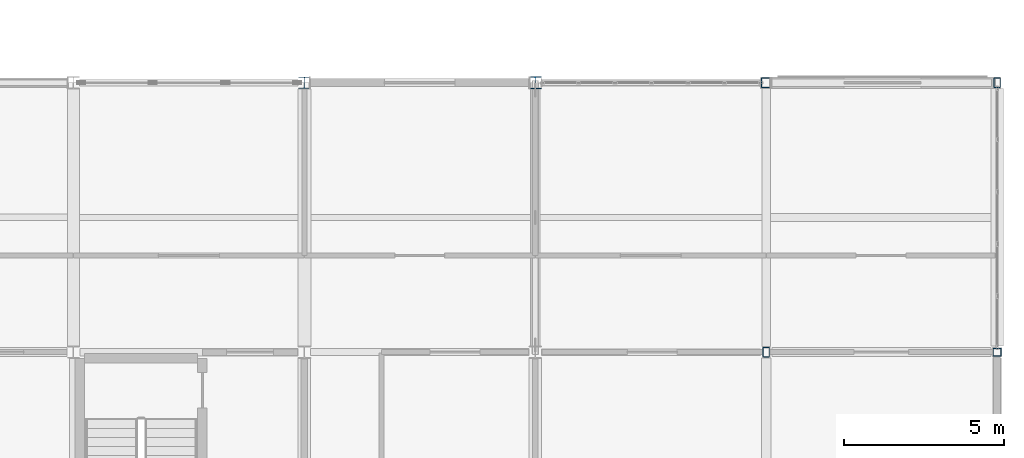
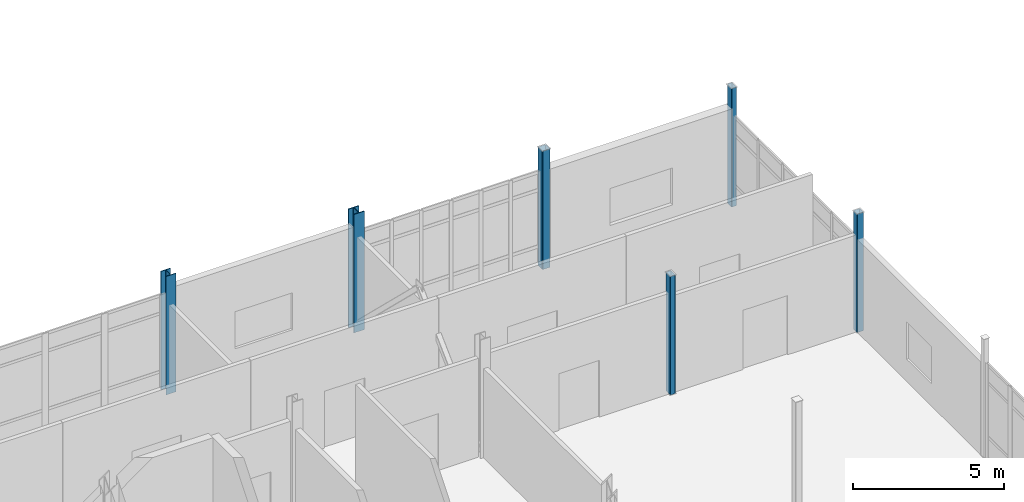
# One storey, part 14 of 153: 6 columns.
"""IFC4 building model written with IfcOpenShell, lengths in metres."""

from ifc_helpers import new_model, si_unit, direction, frame, origin, origin_2d, place, context, subcontext, project, spatial, hollow_rectangle, i_section, extrude, material, material_profile, profile_set, type_object, element, save


model = new_model("IFC4")

# Units and contexts
model_context = context("Model", 3, precision=1e-05, world=origin(), true_north=direction((0.0, 1.0)))
body_context = subcontext(model_context, "Body", "Model", "MODEL_VIEW")
ifc_project = project(units=[si_unit("LENGTHUNIT", "METRE"), si_unit("AREAUNIT", "SQUARE_METRE"), si_unit("VOLUMEUNIT", "CUBIC_METRE"), si_unit("PLANEANGLEUNIT", "RADIAN"), si_unit("MASSUNIT", "GRAM", prefix="KILO")], contexts=[model_context])

# Site, building, storey
site_placement = place(None, origin())
site = spatial("IfcSite", under=ifc_project, at=site_placement, CompositionType="ELEMENT")
building_placement = place(site_placement, origin())
building = spatial("IfcBuilding", under=site, at=building_placement, Name="Calvrana Isthmian Art Gallery", CompositionType="ELEMENT")
storey_placement = place(building_placement, frame((0.0, 0.0, 10.199951171875)))
storey = spatial("IfcBuildingStorey", under=building, at=storey_placement, Name="L02", CompositionType="ELEMENT", Elevation=10.199951171875)

# Columns
ifc_material_1 = material(Name="Steel ASTM A500 Gr C", Category="steel")
ifc_material_profile_1 = material_profile(ifc_material_1, hollow_rectangle(XDim=0.25390625, YDim=0.25390625, WallThickness=0.0126953125, OuterFilletRadius=0.02490234375, at=origin_2d()), Name="HSS254X254X12.7")
ifc_profile_set_1 = profile_set([ifc_material_profile_1], Name="Steel ASTM A500 Gr C")
column_type_1 = type_object("IfcColumnType", Name="COL-STL-HSS254X254X12.7", PredefinedType="COLUMN", material=ifc_profile_set_1)
column_1_placement = place(storey_placement, frame((156.0, 38.39990234375, 0.0), z_axis=(0.0, 0.0, 1.0), x_axis=(1.0, 0.0, 0.0)))
element("IfcColumn", 1, at=column_1_placement, inside=storey, type_object=column_type_1, Name="Column 21/F L02", PredefinedType="COLUMN", context=body_context, shape_type="SweptSolid", body=[
    extrude(hollow_rectangle(XDim=0.25390625, YDim=0.25390625, WallThickness=0.0126953125, OuterFilletRadius=0.02490234375, at=origin_2d()), origin(), (0.0, 0.0, 1.0), 4.800048828125),
])
ifc_material_profile_2 = material_profile(ifc_material_1, hollow_rectangle(XDim=0.203125, YDim=0.3046875, WallThickness=0.0126953125, OuterFilletRadius=0.02490234375, at=origin_2d()), Name="HSS305X203X12.7")
ifc_profile_set_2 = profile_set([ifc_material_profile_2], Name="Steel ASTM A500 Gr C")
column_type_2 = type_object("IfcColumnType", Name="COL-STL-HSS305X203X12.7", PredefinedType="COLUMN", material=ifc_profile_set_2)
for number, where, z_axis, x_axis, name in (
    (2, (148.800048828125, 38.39990234375, 0.0), (0.0, 0.0, 1.0), (1.0, 0.0, 0.0), "Column 20/F L02"),
    (3, (156.0, 46.800048828125, 0.0), (0.0, 0.0, 1.0), (1.0, 0.0, 0.0), "Column 21/G L02"),
):
    element("IfcColumn", number, at=place(storey_placement, frame(where, z_axis=z_axis, x_axis=x_axis)), inside=storey, type_object=column_type_2, Name=name, PredefinedType="COLUMN", context=body_context, shape_type="SweptSolid", body=[
        extrude(hollow_rectangle(XDim=0.203125, YDim=0.3046875, WallThickness=0.0126953125, OuterFilletRadius=0.02490234375, at=origin_2d()), origin(), (0.0, 0.0, 1.0), 4.800048828125),
    ])
ifc_material_profile_3 = material_profile(ifc_material_1, hollow_rectangle(XDim=0.3046875, YDim=0.3046875, WallThickness=0.015869140625, OuterFilletRadius=0.031982421875, at=origin_2d()), Name="HSS305X305X15.9")
ifc_profile_set_3 = profile_set([ifc_material_profile_3], Name="Steel ASTM A500 Gr C")
column_type_3 = type_object("IfcColumnType", Name="COL-STL-HSS305X305X15.9", PredefinedType="COLUMN", material=ifc_profile_set_3)
column_2_placement = place(storey_placement, frame((148.800048828125, 46.800048828125, 0.0), z_axis=(0.0, 0.0, 1.0), x_axis=(1.0, 0.0, 0.0)))
element("IfcColumn", 4, at=column_2_placement, inside=storey, type_object=column_type_3, Name="Column 20/G L02", PredefinedType="COLUMN", context=body_context, shape_type="SweptSolid", body=[
    extrude(hollow_rectangle(XDim=0.3046875, YDim=0.3046875, WallThickness=0.015869140625, OuterFilletRadius=0.031982421875, at=origin_2d()), origin(), (0.0, 0.0, 1.0), 4.800048828125),
])
ifc_material_2 = material(Name="Steel ASTM A992 Gr 50", Category="steel")
ifc_material_profile_4 = material_profile(ifc_material_2, i_section(OverallWidth=0.373046875, OverallDepth=0.373046875, WebThickness=0.016357421875, FlangeThickness=0.026123046875, FilletRadius=0.02490234375, at=origin_2d()), Name="W14X132")
ifc_profile_set_4 = profile_set([ifc_material_profile_4], Name="Steel ASTM A992 Gr 50")
column_type_4 = type_object("IfcColumnType", Name="COL-STL-W14X132", PredefinedType="COLUMN", material=ifc_profile_set_4)
column_3_placement = place(storey_placement, frame((134.39990234375, 46.800048828125, 0.0), z_axis=(0.0, 0.0, 1.0), x_axis=(1.0, 0.0, 0.0)))
element("IfcColumn", 5, at=column_3_placement, inside=storey, type_object=column_type_4, Name="Column 18/G L02", PredefinedType="COLUMN", context=body_context, shape_type="SweptSolid", body=[
    extrude(i_section(OverallWidth=0.373046875, OverallDepth=0.373046875, WebThickness=0.016357421875, FlangeThickness=0.026123046875, FilletRadius=0.02490234375, at=origin_2d()), origin(), (0.0, 0.0, 1.0), 4.800048828125),
])
ifc_material_profile_5 = material_profile(ifc_material_2, i_section(OverallWidth=0.39892578125, OverallDepth=0.385986328125, WebThickness=0.02099609375, FlangeThickness=0.033203125, FilletRadius=0.02490234375, at=origin_2d()), Name="W14X176")
ifc_profile_set_5 = profile_set([ifc_material_profile_5], Name="Steel ASTM A992 Gr 50")
column_type_5 = type_object("IfcColumnType", Name="COL-STL-W14X176", PredefinedType="COLUMN", material=ifc_profile_set_5)
column_4_placement = place(storey_placement, frame((141.60009765625, 46.800048828125, 0.0), z_axis=(0.0, 0.0, 1.0), x_axis=(1.0, 0.0, 0.0)))
element("IfcColumn", 6, at=column_4_placement, inside=storey, type_object=column_type_5, Name="Column 19/G L02", PredefinedType="COLUMN", context=body_context, shape_type="SweptSolid", body=[
    extrude(i_section(OverallWidth=0.39892578125, OverallDepth=0.385986328125, WebThickness=0.02099609375, FlangeThickness=0.033203125, FilletRadius=0.02490234375, at=origin_2d()), origin(), (0.0, 0.0, 1.0), 4.800048828125),
])

save(model, "model.ifc")
